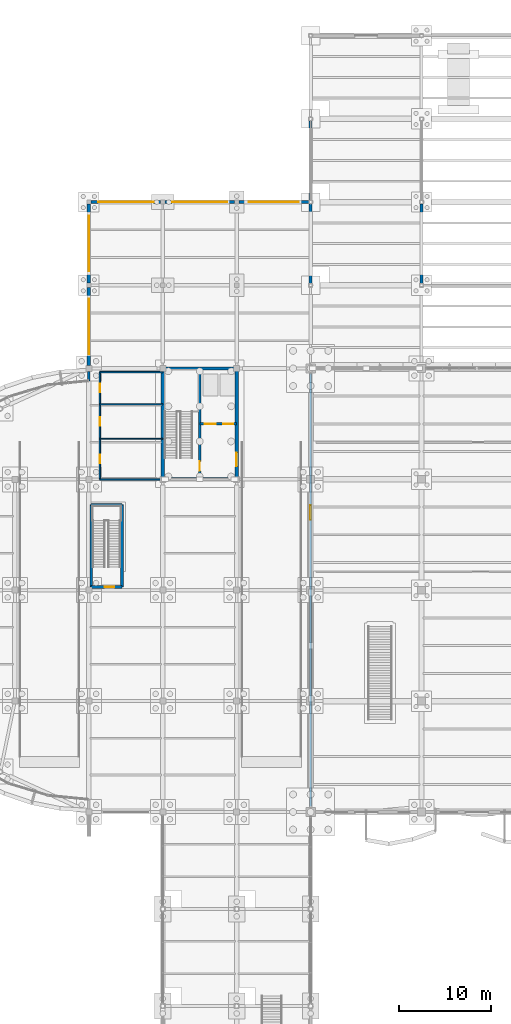
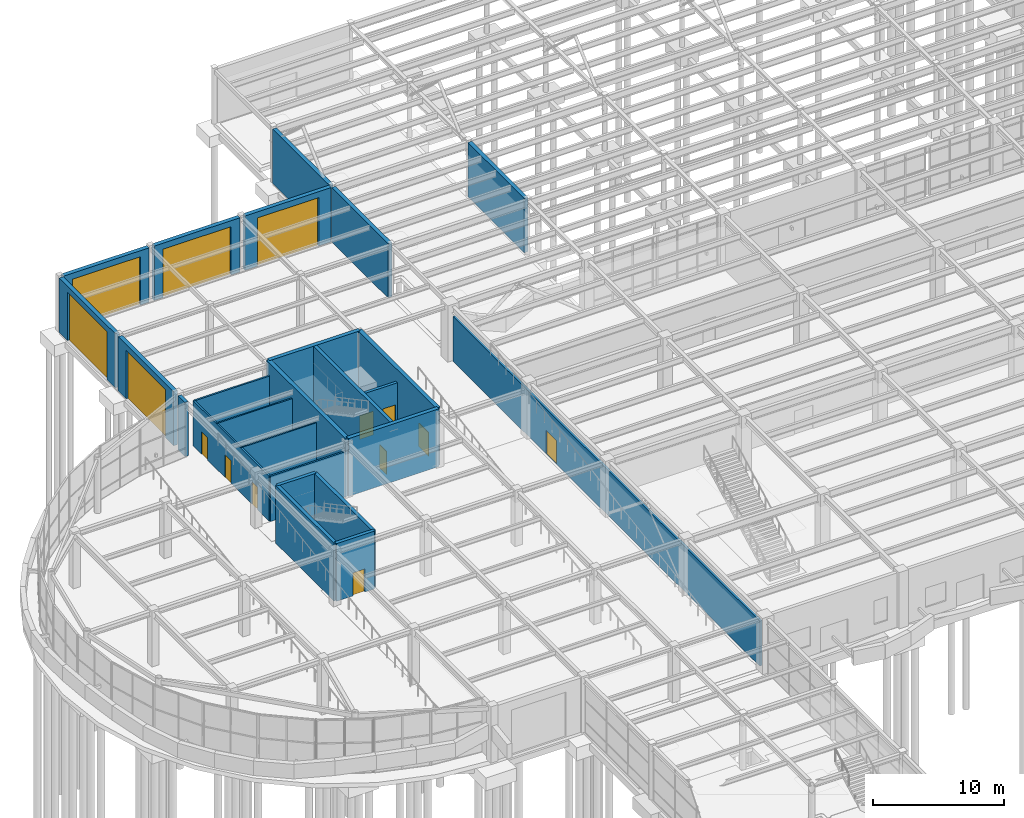
# One storey, part 64 of 85: 25 walls, 14 doors, 14 openings.
"""IFC4 building model written with IfcOpenShell, lengths in metres."""

from ifc_helpers import new_model, si_unit, direction, frame, frame_2d, origin, place, context, subcontext, project, spatial, rectangle, extrude, material, layer, layer_set, type_object, element, fill, save


model = new_model("IFC4")

# Units and contexts
model_context = context("Model", 3, precision=1e-05, world=origin(), true_north=direction((0.0, 1.0)))
body_context = subcontext(model_context, "Body", "Model", "MODEL_VIEW")
ifc_project = project(units=[si_unit("LENGTHUNIT", "METRE"), si_unit("AREAUNIT", "SQUARE_METRE"), si_unit("VOLUMEUNIT", "CUBIC_METRE"), si_unit("PLANEANGLEUNIT", "RADIAN"), si_unit("MASSUNIT", "GRAM", prefix="KILO")], contexts=[model_context])

# Site, building, storey
site_placement = place(None, origin())
site = spatial("IfcSite", under=ifc_project, at=site_placement, CompositionType="ELEMENT")
building_placement = place(site_placement, origin())
building = spatial("IfcBuilding", under=site, at=building_placement, Name="Keelwater Ferry Terminal", CompositionType="ELEMENT")
storey_placement = place(building_placement, origin())
storey = spatial("IfcBuildingStorey", under=building, at=storey_placement, Name="L00", CompositionType="ELEMENT", Elevation=0.0)

# Walls
ifc_material_1 = material(Name="Precast concrete C40/50", Category="concrete")
ifc_layer_1 = layer(ifc_material_1, 0.340087890625)
ifc_layer_set_1 = layer_set([ifc_layer_1], Name="Precast concrete C40/50")
wall_type_1 = type_object("IfcWallType", Name="EW-LM340 External Solid Wall 340", PredefinedType="SOLIDWALL", material=ifc_layer_set_1)
for number, where, z_axis, x_axis, name in (
    (1, (48.0, 99.202880859375, 0.0), (0.0, 0.0, 1.0), (0.0, 1.0, 0.0), "External Wall WL-L00-0044"),
    (2, (48.0, 108.202880859375, 0.0), (0.0, 0.0, 1.0), (0.0, 1.0, 0.0), "External Wall WL-L00-0045"),
    (3, (60.0, 99.202880859375, 0.0), (0.0, 0.0, 1.0), (0.0, 1.0, 0.0), "External Wall WL-L00-0046"),
):
    element("IfcWall", number, at=place(storey_placement, frame(where, z_axis=z_axis, x_axis=x_axis)), inside=storey, type_object=wall_type_1, Name=name, PredefinedType="SOLIDWALL", context=body_context, shape_type="SweptSolid", body=[
        extrude(rectangle(XDim=8.59423828125, YDim=0.340087890625, at=frame_2d((4.297119140625, 0.0))), origin(), (0.0, 0.0, 1.0), 5.06005859375),
    ])
ifc_material_2 = material(Name="Precast concrete C40/50", Category="concrete")
ifc_layer_2 = layer(ifc_material_2, 0.300048828125)
ifc_layer_set_2 = layer_set([ifc_layer_2], Name="Precast concrete C40/50")
wall_type_2 = type_object("IfcWallType", Name="EW-PC300 External Solid Wall 300", PredefinedType="SOLIDWALL", material=ifc_layer_set_2)
wall_1_placement = place(storey_placement, frame((24.0, 89.675048828125, 0.0), z_axis=(0.0, 0.0, 1.0), x_axis=(0.0, -1.0, 0.0)))
element("IfcWall", 4, at=wall_1_placement, inside=storey, type_object=wall_type_2, Name="External Wall WL-L00-0017", PredefinedType="SOLIDWALL", context=body_context, shape_type="SweptSolid", body=[
    extrude(rectangle(XDim=1.025146484375, YDim=0.300048828125, at=frame_2d((0.5126953125, 0.0))), origin(), (0.0, 0.0, 1.0), 5.06005859375),
])

# Wall, opening, door
ifc_material_3 = material(Name="Concrete C45/55", Category="concrete")
ifc_layer_3 = layer(ifc_material_3, 0.360107421875)
ifc_layer_set_3 = layer_set([ifc_layer_3], Name="Concrete C45/55")
wall_type_3 = type_object("IfcWallType", Name="EW-VH360 External Solid Wall 360", PredefinedType="SOLIDWALL", material=ifc_layer_set_3)
wall_2_placement = place(storey_placement, frame((24.0, 90.324951171875, 0.0), z_axis=(0.0, 0.0, 1.0), x_axis=(0.0, 1.0, 0.0)))
wall_2 = element("IfcWall", 5, at=wall_2_placement, inside=storey, type_object=wall_type_3, Name="External Wall WL-L00-0029", PredefinedType="SOLIDWALL", context=body_context, shape_type="SweptSolid", body=[
    extrude(rectangle(XDim=8.449951171875, YDim=0.360107421875, at=frame_2d((4.22509765625, 0.0))), origin(), (0.0, 0.0, 1.0), 5.06005859375),
])
opening_1_placement = place(wall_2_placement, frame((1.22509765625, 0.0, 0.0)))
opening_1 = element("IfcOpeningElement", 6, at=opening_1_placement, cuts=wall_2, Name="Opening VG-01", PredefinedType="OPENING", context=body_context, shape_type="SweptSolid", body=[
    extrude(rectangle(XDim=6.0, YDim=4.5, at=frame_2d((3.0, 2.25))), frame((0.0, 0.190185546875, 0.0), z_axis=(0.0, -1.0, 0.0), x_axis=(1.0, 0.0, 0.0)), (0.0, 0.0, 1.0), 0.380126953125),
])
ifc_material_4 = material(Name="Marine-grade steel roller shutter", Category="steel")
door_type_1 = type_object("IfcDoorType", Name="VG-T1 Vehicle Shutter Gate 6000x4500", OperationType="ROLLINGUP", PredefinedType="GATE", material=ifc_material_4)
door_1_placement = place(opening_1_placement, origin())
door_1 = element("IfcDoor", 7, at=door_1_placement, inside=storey, type_object=door_type_1, Name="Door VG-01", OperationType="ROLLINGUP", OverallHeight=4.5, OverallWidth=6.0, PredefinedType="GATE", context=body_context, shape_type="SweptSolid", body=[
    extrude(rectangle(XDim=6.0, YDim=4.5, at=frame_2d((3.0, 2.25))), frame((0.0, 0.02490234375, 0.0), z_axis=(0.0, -1.0, 0.0), x_axis=(1.0, 0.0, 0.0)), (0.0, 0.0, 1.0), 0.050048828125),
])
fill(opening_1, door_1)

wall_3_placement = place(storey_placement, frame((24.0, 99.22509765625, 0.0), z_axis=(0.0, 0.0, 1.0), x_axis=(0.0, 1.0, 0.0)))
wall_3 = element("IfcWall", 8, at=wall_3_placement, inside=storey, type_object=wall_type_3, Name="External Wall WL-L00-0030", PredefinedType="SOLIDWALL", context=body_context, shape_type="SweptSolid", body=[
    extrude(rectangle(XDim=8.5498046875, YDim=0.360107421875, at=frame_2d((4.27490234375, 0.0))), origin(), (0.0, 0.0, 1.0), 5.06005859375),
])
opening_2_placement = place(wall_3_placement, frame((1.27490234375, 0.0, 0.0)))
opening_2 = element("IfcOpeningElement", 9, at=opening_2_placement, cuts=wall_3, Name="Opening VG-02", PredefinedType="OPENING", context=body_context, shape_type="SweptSolid", body=[
    extrude(rectangle(XDim=6.0, YDim=4.5, at=frame_2d((3.0, 2.25))), frame((0.0, 0.190185546875, 0.0), z_axis=(0.0, -1.0, 0.0), x_axis=(1.0, 0.0, 0.0)), (0.0, 0.0, 1.0), 0.380126953125),
])
door_2_placement = place(opening_2_placement, origin())
door_2 = element("IfcDoor", 10, at=door_2_placement, inside=storey, type_object=door_type_1, Name="Door VG-02", OperationType="ROLLINGUP", OverallHeight=4.5, OverallWidth=6.0, PredefinedType="GATE", context=body_context, shape_type="SweptSolid", body=[
    extrude(rectangle(XDim=6.0, YDim=4.5, at=frame_2d((3.0, 2.25))), frame((0.0, 0.02490234375, 0.0), z_axis=(0.0, -1.0, 0.0), x_axis=(1.0, 0.0, 0.0)), (0.0, 0.0, 1.0), 0.050048828125),
])
fill(opening_2, door_2)

wall_4_placement = place(storey_placement, frame((24.22509765625, 108.0, 0.0), z_axis=(0.0, 0.0, 1.0), x_axis=(1.0, 0.0, 0.0)))
wall_4 = element("IfcWall", 11, at=wall_4_placement, inside=storey, type_object=wall_type_3, Name="External Wall WL-L00-0031", PredefinedType="SOLIDWALL", context=body_context, shape_type="SweptSolid", body=[
    extrude(rectangle(XDim=7.5498046875, YDim=0.360107421875, at=frame_2d((3.77490234375, 0.0))), origin(), (0.0, 0.0, 1.0), 5.06005859375),
])
opening_3_placement = place(wall_4_placement, frame((0.77490234375, 0.0, 0.0)))
opening_3 = element("IfcOpeningElement", 12, at=opening_3_placement, cuts=wall_4, Name="Opening VG-03", PredefinedType="OPENING", context=body_context, shape_type="SweptSolid", body=[
    extrude(rectangle(XDim=6.0, YDim=4.5, at=frame_2d((3.0, 2.25))), frame((0.0, 0.190185546875, 0.0), z_axis=(0.0, -1.0, 0.0), x_axis=(1.0, 0.0, 0.0)), (0.0, 0.0, 1.0), 0.380126953125),
])
door_3_placement = place(opening_3_placement, origin())
door_3 = element("IfcDoor", 13, at=door_3_placement, inside=storey, type_object=door_type_1, Name="Door VG-03", OperationType="ROLLINGUP", OverallHeight=4.5, OverallWidth=6.0, PredefinedType="GATE", context=body_context, shape_type="SweptSolid", body=[
    extrude(rectangle(XDim=6.0, YDim=4.5, at=frame_2d((3.0, 2.25))), frame((0.0, 0.02490234375, 0.0), z_axis=(0.0, -1.0, 0.0), x_axis=(1.0, 0.0, 0.0)), (0.0, 0.0, 1.0), 0.050048828125),
])
fill(opening_3, door_3)

wall_5_placement = place(storey_placement, frame((32.22509765625, 108.0, 0.0), z_axis=(0.0, 0.0, 1.0), x_axis=(1.0, 0.0, 0.0)))
wall_5 = element("IfcWall", 14, at=wall_5_placement, inside=storey, type_object=wall_type_3, Name="External Wall WL-L00-0032", PredefinedType="SOLIDWALL", context=body_context, shape_type="SweptSolid", body=[
    extrude(rectangle(XDim=7.5498046875, YDim=0.360107421875, at=frame_2d((3.77490234375, 0.0))), origin(), (0.0, 0.0, 1.0), 5.06005859375),
])
opening_4_placement = place(wall_5_placement, frame((0.77490234375, 0.0, 0.0)))
opening_4 = element("IfcOpeningElement", 15, at=opening_4_placement, cuts=wall_5, Name="Opening VG-04", PredefinedType="OPENING", context=body_context, shape_type="SweptSolid", body=[
    extrude(rectangle(XDim=6.0, YDim=4.5, at=frame_2d((3.0, 2.25))), frame((0.0, 0.190185546875, 0.0), z_axis=(0.0, -1.0, 0.0), x_axis=(1.0, 0.0, 0.0)), (0.0, 0.0, 1.0), 0.380126953125),
])
door_4_placement = place(opening_4_placement, origin())
door_4 = element("IfcDoor", 16, at=door_4_placement, inside=storey, type_object=door_type_1, Name="Door VG-04", OperationType="ROLLINGUP", OverallHeight=4.5, OverallWidth=6.0, PredefinedType="GATE", context=body_context, shape_type="SweptSolid", body=[
    extrude(rectangle(XDim=6.0, YDim=4.5, at=frame_2d((3.0, 2.25))), frame((0.0, 0.02490234375, 0.0), z_axis=(0.0, -1.0, 0.0), x_axis=(1.0, 0.0, 0.0)), (0.0, 0.0, 1.0), 0.050048828125),
])
fill(opening_4, door_4)

wall_6_placement = place(storey_placement, frame((40.22509765625, 108.0, 0.0), z_axis=(0.0, 0.0, 1.0), x_axis=(1.0, 0.0, 0.0)))
wall_6 = element("IfcWall", 17, at=wall_6_placement, inside=storey, type_object=wall_type_3, Name="External Wall WL-L00-0033", PredefinedType="SOLIDWALL", context=body_context, shape_type="SweptSolid", body=[
    extrude(rectangle(XDim=7.572021484375, YDim=0.360107421875, at=frame_2d((3.7861328125, 0.0))), origin(), (0.0, 0.0, 1.0), 5.06005859375),
])
opening_5_placement = place(wall_6_placement, frame((1.0859375, 0.0, 0.0)))
opening_5 = element("IfcOpeningElement", 18, at=opening_5_placement, cuts=wall_6, Name="Opening VG-05", PredefinedType="OPENING", context=body_context, shape_type="SweptSolid", body=[
    extrude(rectangle(XDim=5.39990234375, YDim=4.5, at=frame_2d((2.699951171875, 2.25))), frame((0.0, 0.190185546875, 0.0), z_axis=(0.0, -1.0, 0.0), x_axis=(1.0, 0.0, 0.0)), (0.0, 0.0, 1.0), 0.380126953125),
])
ifc_material_5 = material(Name="Marine-grade steel roller shutter", Category="steel")
door_type_2 = type_object("IfcDoorType", Name="VG-T2 Vehicle Shutter Gate 5400x4500", OperationType="ROLLINGUP", PredefinedType="GATE", material=ifc_material_5)
door_5_placement = place(opening_5_placement, origin())
door_5 = element("IfcDoor", 19, at=door_5_placement, inside=storey, type_object=door_type_2, Name="Door VG-05", OperationType="ROLLINGUP", OverallHeight=4.5, OverallWidth=5.39990234375, PredefinedType="GATE", context=body_context, shape_type="SweptSolid", body=[
    extrude(rectangle(XDim=5.39990234375, YDim=4.5, at=frame_2d((2.699951171875, 2.25))), frame((0.0, 0.02490234375, 0.0), z_axis=(0.0, -1.0, 0.0), x_axis=(1.0, 0.0, 0.0)), (0.0, 0.0, 1.0), 0.050048828125),
])
fill(opening_5, door_5)

ifc_material_6 = material(Name="Concrete C40/50", Category="concrete")
ifc_layer_4 = layer(ifc_material_6, 0.199951171875)
ifc_layer_set_4 = layer_set([ifc_layer_4], Name="Concrete C40/50")
wall_type_4 = type_object("IfcWallType", Name="IW-200 Solid Wall 200", PredefinedType="SOLIDWALL", material=ifc_layer_set_4)
wall_7_placement = place(storey_placement, frame((48.0, 42.60009765625, 0.0), z_axis=(0.0, 0.0, 1.0), x_axis=(0.0, 1.0, 0.0)))
wall_7 = element("IfcWall", 20, at=wall_7_placement, inside=storey, type_object=wall_type_4, Name="Interior Wall WL-INT-L00-0226", PredefinedType="SOLIDWALL", context=body_context, shape_type="SweptSolid", body=[
    extrude(rectangle(XDim=46.7998046875, YDim=0.199951171875, at=frame_2d((23.39990234375, 0.0))), origin(), (0.0, 0.0, 1.0), 4.199951171875),
])
opening_6_placement = place(wall_7_placement, frame((31.0, 0.0, 0.0)))
opening_6 = element("IfcOpeningElement", 21, at=opening_6_placement, cuts=wall_7, Name="Opening DR-002", PredefinedType="OPENING", context=body_context, shape_type="SweptSolid", body=[
    extrude(rectangle(XDim=1.60009765625, YDim=2.199951171875, at=frame_2d((0.800048828125, 1.10009765625))), frame((0.0, 0.110107421875, 0.0), z_axis=(0.0, -1.0, 0.0), x_axis=(1.0, 0.0, 0.0)), (0.0, 0.0, 1.0), 0.219970703125),
])
ifc_material_7 = material(Name="Acoustic oak and fire-rated steel frame door", Category="steel")
door_type_3 = type_object("IfcDoorType", Name="ID-01 Pedestrian Door 1600x2200", OperationType="DOUBLE_DOOR_SINGLE_SWING", PredefinedType="DOOR", material=ifc_material_7)
door_6_placement = place(opening_6_placement, origin())
door_6 = element("IfcDoor", 22, at=door_6_placement, inside=storey, type_object=door_type_3, Name="Door DR-002", OperationType="DOUBLE_DOOR_SINGLE_SWING", OverallHeight=2.199951171875, OverallWidth=1.60009765625, PredefinedType="DOOR", context=body_context, shape_type="SweptSolid", body=[
    extrude(rectangle(XDim=1.60009765625, YDim=2.199951171875, at=frame_2d((0.800048828125, 1.10009765625))), frame((0.0, 0.02490234375, 0.0), z_axis=(0.0, -1.0, 0.0), x_axis=(1.0, 0.0, 0.0)), (0.0, 0.0, 1.0), 0.050048828125),
])
fill(opening_6, door_6)

# Wall, openings, doors
ifc_material_8 = material(Name="Concrete C40/50", Category="concrete")
ifc_layer_5 = layer(ifc_material_8, 0.25)
ifc_layer_set_5 = layer_set([ifc_layer_5], Name="Concrete C40/50")
wall_type_5 = type_object("IfcWallType", Name="IW-250 Solid Wall 250", PredefinedType="SOLIDWALL", material=ifc_layer_set_5)
wall_8_placement = place(storey_placement, frame((40.0, 84.0, 0.0), z_axis=(0.0, 0.0, 1.0), x_axis=(-1.0, 0.0, 0.0)))
wall_8 = element("IfcWall", 23, at=wall_8_placement, inside=storey, type_object=wall_type_5, Name="Interior Wall WL-INT-L00-0006", PredefinedType="SOLIDWALL", context=body_context, shape_type="SweptSolid", body=[
    extrude(rectangle(XDim=4.0, YDim=0.25, at=frame_2d((2.0, 0.0))), origin(), (0.0, 0.0, 1.0), 4.199951171875),
])
opening_7_placement = place(wall_8_placement, frame((0.35009765625, 0.0, 0.0)))
opening_7 = element("IfcOpeningElement", 24, at=opening_7_placement, cuts=wall_8, Name="Opening LD-001", PredefinedType="OPENING", context=body_context, shape_type="SweptSolid", body=[
    extrude(rectangle(XDim=1.10009765625, YDim=2.199951171875, at=frame_2d((0.550048828125, 1.10009765625))), frame((0.0, 0.135009765625, 0.0), z_axis=(0.0, -1.0, 0.0), x_axis=(1.0, 0.0, 0.0)), (0.0, 0.0, 1.0), 0.27001953125),
])
opening_8_placement = place(wall_8_placement, frame((2.25, 0.0, 0.0)))
opening_8 = element("IfcOpeningElement", 25, at=opening_8_placement, cuts=wall_8, Name="Opening LD-002", PredefinedType="OPENING", context=body_context, shape_type="SweptSolid", body=[
    extrude(rectangle(XDim=1.199951171875, YDim=2.199951171875, at=frame_2d((0.60009765625, 1.10009765625))), frame((0.0, 0.135009765625, 0.0), z_axis=(0.0, -1.0, 0.0), x_axis=(1.0, 0.0, 0.0)), (0.0, 0.0, 1.0), 0.27001953125),
])
ifc_material_9 = material(Name="Stainless steel sliding landing doors", Category="steel")
door_type_4 = type_object("IfcDoorType", Name="LD-T1 Lift Landing Door 1100x2200", OperationType="SLIDING_TO_LEFT", PredefinedType="USERDEFINED", material=ifc_material_9)
door_7_placement = place(opening_7_placement, origin())
door_7 = element("IfcDoor", 26, at=door_7_placement, inside=storey, type_object=door_type_4, Name="Door LD-001", ObjectType="LANDING DOOR", OperationType="SLIDING_TO_LEFT", OverallHeight=2.199951171875, OverallWidth=1.10009765625, PredefinedType="USERDEFINED", context=body_context, shape_type="SweptSolid", body=[
    extrude(rectangle(XDim=1.10009765625, YDim=2.199951171875, at=frame_2d((0.550048828125, 1.10009765625))), frame((0.0, 0.02490234375, 0.0), z_axis=(0.0, -1.0, 0.0), x_axis=(1.0, 0.0, 0.0)), (0.0, 0.0, 1.0), 0.050048828125),
])
fill(opening_7, door_7)
ifc_material_10 = material(Name="Stainless steel sliding landing doors", Category="steel")
door_type_5 = type_object("IfcDoorType", Name="LD-T2 Lift Landing Door 1200x2200", OperationType="DOUBLE_DOOR_SLIDING", PredefinedType="USERDEFINED", material=ifc_material_10)
door_8_placement = place(opening_8_placement, origin())
door_8 = element("IfcDoor", 27, at=door_8_placement, inside=storey, type_object=door_type_5, Name="Door LD-002", ObjectType="LANDING DOOR", OperationType="DOUBLE_DOOR_SLIDING", OverallHeight=2.199951171875, OverallWidth=1.199951171875, PredefinedType="USERDEFINED", context=body_context, shape_type="SweptSolid", body=[
    extrude(rectangle(XDim=1.199951171875, YDim=2.199951171875, at=frame_2d((0.60009765625, 1.10009765625))), frame((0.0, 0.02490234375, 0.0), z_axis=(0.0, -1.0, 0.0), x_axis=(1.0, 0.0, 0.0)), (0.0, 0.0, 1.0), 0.050048828125),
])
fill(opening_8, door_8)

# Walls
ifc_material_11 = material(Name="Gypsum board on acoustic steel stud", Category="steel")
ifc_layer_6 = layer(ifc_material_11, 0.125)
ifc_layer_set_6 = layer_set([ifc_layer_6], Name="Gypsum board on acoustic steel stud")
wall_type_6 = type_object("IfcWallType", Name="PT-125 Partition Wall 125", PredefinedType="PARTITIONING", material=ifc_layer_set_6)
for number, where, z_axis, x_axis, name in (
    (28, (25.199951171875, 82.407958984375, 0.0), (0.0, 0.0, 1.0), (1.0, 0.0, 0.0), "Interior Wall WL-INT-L00-0154"),
    (29, (25.199951171875, 86.1201171875, 0.0), (0.0, 0.0, 1.0), (1.0, 0.0, 0.0), "Interior Wall WL-INT-L00-0155"),
):
    element("IfcWall", number, at=place(storey_placement, frame(where, z_axis=z_axis, x_axis=x_axis)), inside=storey, type_object=wall_type_6, Name=name, PredefinedType="PARTITIONING", context=body_context, shape_type="SweptSolid", body=[
        extrude(rectangle(XDim=6.800048828125, YDim=0.125, at=frame_2d((3.39990234375, 0.0))), origin(), (0.0, 0.0, 1.0), 4.199951171875),
    ])

# Wall, openings, doors
ifc_material_12 = material(Name="Gypsum board on acoustic steel stud", Category="steel")
ifc_layer_7 = layer(ifc_material_12, 0.14990234375)
ifc_layer_set_7 = layer_set([ifc_layer_7], Name="Gypsum board on acoustic steel stud")
wall_type_7 = type_object("IfcWallType", Name="PT-150 Partition Wall 150", PredefinedType="PARTITIONING", material=ifc_layer_set_7)
wall_9_placement = place(storey_placement, frame((25.199951171875, 78.0, 0.0), z_axis=(0.0, 0.0, 1.0), x_axis=(0.0, 1.0, 0.0)))
wall_9 = element("IfcWall", 30, at=wall_9_placement, inside=storey, type_object=wall_type_7, Name="Interior Wall WL-INT-L00-0151", PredefinedType="PARTITIONING", context=body_context, shape_type="SweptSolid", body=[
    extrude(rectangle(XDim=11.60009765625, YDim=0.14990234375, at=frame_2d((5.800048828125, 0.0))), origin(), (0.0, 0.0, 1.0), 4.199951171875),
])
opening_9_placement = place(wall_9_placement, frame((1.75390625, 0.0, 0.0)))
opening_9 = element("IfcOpeningElement", 31, at=opening_9_placement, cuts=wall_9, Name="Opening WD-001", PredefinedType="OPENING", context=body_context, shape_type="SweptSolid", body=[
    extrude(rectangle(XDim=0.89990234375, YDim=2.10009765625, at=frame_2d((0.449951171875, 1.050048828125))), frame((0.0, 0.0849609375, 0.0), z_axis=(0.0, -1.0, 0.0), x_axis=(1.0, 0.0, 0.0)), (0.0, 0.0, 1.0), 0.169921875),
])
opening_10_placement = place(wall_9_placement, frame((5.81396484375, 0.0, 0.0)))
opening_10 = element("IfcOpeningElement", 32, at=opening_10_placement, cuts=wall_9, Name="Opening WD-002", PredefinedType="OPENING", context=body_context, shape_type="SweptSolid", body=[
    extrude(rectangle(XDim=0.89990234375, YDim=2.10009765625, at=frame_2d((0.449951171875, 1.050048828125))), frame((0.0, 0.0849609375, 0.0), z_axis=(0.0, -1.0, 0.0), x_axis=(1.0, 0.0, 0.0)), (0.0, 0.0, 1.0), 0.169921875),
])
opening_11_placement = place(wall_9_placement, frame((9.39990234375, 0.0, 0.0)))
opening_11 = element("IfcOpeningElement", 33, at=opening_11_placement, cuts=wall_9, Name="Opening WD-003", PredefinedType="OPENING", context=body_context, shape_type="SweptSolid", body=[
    extrude(rectangle(XDim=0.919921875, YDim=2.10009765625, at=frame_2d((0.4599609375, 1.050048828125))), frame((0.0, 0.0849609375, 0.0), z_axis=(0.0, -1.0, 0.0), x_axis=(1.0, 0.0, 0.0)), (0.0, 0.0, 1.0), 0.169921875),
])
ifc_material_13 = material(Name="Acoustic oak and fire-rated steel frame door", Category="steel")
door_type_6 = type_object("IfcDoorType", Name="ID-09 Pedestrian Door 920x2100", OperationType="NOTDEFINED", PredefinedType="DOOR", material=ifc_material_13)
door_9_placement = place(opening_11_placement, origin())
door_9 = element("IfcDoor", 34, at=door_9_placement, inside=storey, type_object=door_type_6, Name="Door WD-003", OperationType="SINGLE_SWING_LEFT", OverallHeight=2.10009765625, OverallWidth=0.919921875, PredefinedType="DOOR", context=body_context, shape_type="SweptSolid", body=[
    extrude(rectangle(XDim=0.919921875, YDim=2.10009765625, at=frame_2d((0.4599609375, 1.050048828125))), frame((0.0, 0.02490234375, 0.0), z_axis=(0.0, -1.0, 0.0), x_axis=(1.0, 0.0, 0.0)), (0.0, 0.0, 1.0), 0.050048828125),
])
fill(opening_11, door_9)
ifc_material_14 = material(Name="Acoustic oak and fire-rated steel frame door", Category="steel")
door_type_7 = type_object("IfcDoorType", Name="ID-10 Pedestrian Door 900x2100", OperationType="NOTDEFINED", PredefinedType="DOOR", material=ifc_material_14)
door_10_placement = place(opening_9_placement, origin())
door_10 = element("IfcDoor", 35, at=door_10_placement, inside=storey, type_object=door_type_7, Name="Door WD-001", OperationType="SINGLE_SWING_LEFT", OverallHeight=2.10009765625, OverallWidth=0.89990234375, PredefinedType="DOOR", context=body_context, shape_type="SweptSolid", body=[
    extrude(rectangle(XDim=0.89990234375, YDim=2.10009765625, at=frame_2d((0.449951171875, 1.050048828125))), frame((0.0, 0.02490234375, 0.0), z_axis=(0.0, -1.0, 0.0), x_axis=(1.0, 0.0, 0.0)), (0.0, 0.0, 1.0), 0.050048828125),
])
fill(opening_9, door_10)
door_11_placement = place(opening_10_placement, origin())
door_11 = element("IfcDoor", 36, at=door_11_placement, inside=storey, type_object=door_type_7, Name="Door WD-002", OperationType="SINGLE_SWING_RIGHT", OverallHeight=2.10009765625, OverallWidth=0.89990234375, PredefinedType="DOOR", context=body_context, shape_type="SweptSolid", body=[
    extrude(rectangle(XDim=0.89990234375, YDim=2.10009765625, at=frame_2d((0.449951171875, 1.050048828125))), frame((0.0, 0.02490234375, 0.0), z_axis=(0.0, -1.0, 0.0), x_axis=(1.0, 0.0, 0.0)), (0.0, 0.0, 1.0), 0.050048828125),
])
fill(opening_10, door_11)

# Walls
for number, where, z_axis, x_axis, name in (
    (37, (25.199951171875, 89.60009765625, 0.0), (0.0, 0.0, 1.0), (1.0, 0.0, 0.0), "Interior Wall WL-INT-L00-0152"),
    (38, (25.199951171875, 78.0, 0.0), (0.0, 0.0, 1.0), (1.0, 0.0, 0.0), "Interior Wall WL-INT-L00-0153"),
):
    element("IfcWall", number, at=place(storey_placement, frame(where, z_axis=z_axis, x_axis=x_axis)), inside=storey, type_object=wall_type_7, Name=name, PredefinedType="PARTITIONING", context=body_context, shape_type="SweptSolid", body=[
        extrude(rectangle(XDim=6.800048828125, YDim=0.14990234375, at=frame_2d((3.39990234375, 0.0))), origin(), (0.0, 0.0, 1.0), 4.199951171875),
    ])

# Wall, opening, door
ifc_material_15 = material(Name="Concrete C45/55", Category="concrete")
ifc_layer_8 = layer(ifc_material_15, 0.300048828125)
ifc_layer_set_8 = layer_set([ifc_layer_8], Name="Concrete C45/55")
wall_type_8 = type_object("IfcWallType", Name="SW-300 Shear Wall 300", PredefinedType="SHEAR", material=ifc_layer_set_8)
wall_10_placement = place(storey_placement, frame((36.0, 90.0, 0.0), z_axis=(0.0, 0.0, 1.0), x_axis=(0.0, -1.0, 0.0)))
wall_10 = element("IfcWall", 39, at=wall_10_placement, inside=storey, type_object=wall_type_8, Name="Interior Wall WL-INT-L00-0005", PredefinedType="SHEAR", context=body_context, shape_type="SweptSolid", body=[
    extrude(rectangle(XDim=12.0, YDim=0.300048828125, at=frame_2d((6.0, 0.0))), origin(), (0.0, 0.0, 1.0), 5.3798828125),
])
opening_12_placement = place(wall_10_placement, frame((10.050048828125, 0.0, 0.0)))
opening_12 = element("IfcOpeningElement", 40, at=opening_12_placement, cuts=wall_10, Name="Opening FD-001", PredefinedType="OPENING", context=body_context, shape_type="SweptSolid", body=[
    extrude(rectangle(XDim=1.050048828125, YDim=2.14990234375, at=frame_2d((0.52490234375, 1.074951171875))), frame((0.0, 0.159912109375, 0.0), z_axis=(0.0, -1.0, 0.0), x_axis=(1.0, 0.0, 0.0)), (0.0, 0.0, 1.0), 0.320068359375),
])
ifc_material_16 = material(Name="Acoustic oak and fire-rated steel frame door", Category="steel")
door_type_8 = type_object("IfcDoorType", Name="ID-06 Pedestrian Door 1050x2150", OperationType="NOTDEFINED", PredefinedType="DOOR", material=ifc_material_16)
door_12_placement = place(opening_12_placement, origin())
door_12 = element("IfcDoor", 41, at=door_12_placement, inside=storey, type_object=door_type_8, Name="Door FD-001", OperationType="SINGLE_SWING_LEFT", OverallHeight=2.14990234375, OverallWidth=1.050048828125, PredefinedType="DOOR", context=body_context, shape_type="SweptSolid", body=[
    extrude(rectangle(XDim=1.050048828125, YDim=2.14990234375, at=frame_2d((0.52490234375, 1.074951171875))), frame((0.0, 0.02490234375, 0.0), z_axis=(0.0, -1.0, 0.0), x_axis=(1.0, 0.0, 0.0)), (0.0, 0.0, 1.0), 0.050048828125),
])
fill(opening_12, door_12)

wall_11_placement = place(storey_placement, frame((24.25, 66.35009765625, 0.0), z_axis=(0.0, 0.0, 1.0), x_axis=(1.0, 0.0, 0.0)))
wall_11 = element("IfcWall", 42, at=wall_11_placement, inside=storey, type_object=wall_type_8, Name="Interior Wall WL-INT-L00-0123", PredefinedType="SHEAR", context=body_context, shape_type="SweptSolid", body=[
    extrude(rectangle(XDim=3.35009765625, YDim=0.300048828125, at=frame_2d((1.675048828125, 0.0))), origin(), (0.0, 0.0, 1.0), 5.3798828125),
])
opening_13_placement = place(wall_11_placement, frame((1.449951171875, 0.0, 0.0)))
opening_13 = element("IfcOpeningElement", 43, at=opening_13_placement, cuts=wall_11, Name="Opening FD-039", PredefinedType="OPENING", context=body_context, shape_type="SweptSolid", body=[
    extrude(rectangle(XDim=1.050048828125, YDim=2.14990234375, at=frame_2d((0.52490234375, 1.074951171875))), frame((0.0, 0.159912109375, 0.0), z_axis=(0.0, -1.0, 0.0), x_axis=(1.0, 0.0, 0.0)), (0.0, 0.0, 1.0), 0.320068359375),
])
door_13_placement = place(opening_13_placement, origin())
door_13 = element("IfcDoor", 44, at=door_13_placement, inside=storey, type_object=door_type_8, Name="Door FD-039", OperationType="SINGLE_SWING_RIGHT", OverallHeight=2.14990234375, OverallWidth=1.050048828125, PredefinedType="DOOR", context=body_context, shape_type="SweptSolid", body=[
    extrude(rectangle(XDim=1.050048828125, YDim=2.14990234375, at=frame_2d((0.52490234375, 1.074951171875))), frame((0.0, 0.02490234375, 0.0), z_axis=(0.0, -1.0, 0.0), x_axis=(1.0, 0.0, 0.0)), (0.0, 0.0, 1.0), 0.050048828125),
])
fill(opening_13, door_13)

# Walls
wall_12_placement = place(storey_placement, frame((24.25, 75.25, 0.0), z_axis=(0.0, 0.0, 1.0), x_axis=(1.0, 0.0, 0.0)))
element("IfcWall", 45, at=wall_12_placement, inside=storey, type_object=wall_type_8, Name="Interior Wall WL-INT-L00-0124", PredefinedType="SHEAR", context=body_context, shape_type="SweptSolid", body=[
    extrude(rectangle(XDim=3.35009765625, YDim=0.300048828125, at=frame_2d((1.675048828125, 0.0))), origin(), (0.0, 0.0, 1.0), 5.3798828125),
])
for number, where, z_axis, x_axis, name in (
    (46, (24.25, 66.35009765625, 0.0), (0.0, 0.0, 1.0), (0.0, 1.0, 0.0), "Interior Wall WL-INT-L00-0125"),
    (47, (27.60009765625, 66.35009765625, 0.0), (0.0, 0.0, 1.0), (0.0, 1.0, 0.0), "Interior Wall WL-INT-L00-0126"),
):
    element("IfcWall", number, at=place(storey_placement, frame(where, z_axis=z_axis, x_axis=x_axis)), inside=storey, type_object=wall_type_8, Name=name, PredefinedType="SHEAR", context=body_context, shape_type="SweptSolid", body=[
        extrude(rectangle(XDim=8.89990234375, YDim=0.300048828125, at=frame_2d((4.449951171875, 0.0))), origin(), (0.0, 0.0, 1.0), 5.3798828125),
    ])
ifc_material_17 = material(Name="Concrete C45/55", Category="concrete")
ifc_layer_9 = layer(ifc_material_17, 0.35009765625)
ifc_layer_set_9 = layer_set([ifc_layer_9], Name="Concrete C45/55")
wall_type_9 = type_object("IfcWallType", Name="SW-350 Shear Wall 350", PredefinedType="SHEAR", material=ifc_layer_set_9)
for number, where, z_axis, x_axis, name in (
    (48, (32.0, 78.0, 0.0), (0.0, 0.0, 1.0), (1.0, 0.0, 0.0), "Interior Wall WL-INT-L00-0001"),
    (49, (32.0, 90.0, 0.0), (0.0, 0.0, 1.0), (1.0, 0.0, 0.0), "Interior Wall WL-INT-L00-0002"),
):
    element("IfcWall", number, at=place(storey_placement, frame(where, z_axis=z_axis, x_axis=x_axis)), inside=storey, type_object=wall_type_9, Name=name, PredefinedType="SHEAR", context=body_context, shape_type="SweptSolid", body=[
        extrude(rectangle(XDim=8.0, YDim=0.35009765625, at=frame_2d((4.0, 0.0))), origin(), (0.0, 0.0, 1.0), 5.3798828125),
    ])
wall_13_placement = place(storey_placement, frame((32.0, 78.0, 0.0), z_axis=(0.0, 0.0, 1.0), x_axis=(0.0, 1.0, 0.0)))
element("IfcWall", 50, at=wall_13_placement, inside=storey, type_object=wall_type_9, Name="Interior Wall WL-INT-L00-0003", PredefinedType="SHEAR", context=body_context, shape_type="SweptSolid", body=[
    extrude(rectangle(XDim=12.0, YDim=0.35009765625, at=frame_2d((6.0, 0.0))), origin(), (0.0, 0.0, 1.0), 5.3798828125),
])

# Wall, opening, door
wall_14_placement = place(storey_placement, frame((40.0, 78.0, 0.0), z_axis=(0.0, 0.0, 1.0), x_axis=(0.0, 1.0, 0.0)))
wall_14 = element("IfcWall", 51, at=wall_14_placement, inside=storey, type_object=wall_type_9, Name="Interior Wall WL-INT-L00-0004", PredefinedType="SHEAR", context=body_context, shape_type="SweptSolid", body=[
    extrude(rectangle(XDim=12.0, YDim=0.35009765625, at=frame_2d((6.0, 0.0))), origin(), (0.0, 0.0, 1.0), 5.3798828125),
])
opening_14_placement = place(wall_14_placement, frame((1.39990234375, 0.0, 0.0)))
opening_14 = element("IfcOpeningElement", 52, at=opening_14_placement, cuts=wall_14, Name="Opening FD-002", PredefinedType="OPENING", context=body_context, shape_type="SweptSolid", body=[
    extrude(rectangle(XDim=1.5, YDim=2.199951171875, at=frame_2d((0.75, 1.10009765625))), frame((0.0, 0.18505859375, 0.0), z_axis=(0.0, -1.0, 0.0), x_axis=(1.0, 0.0, 0.0)), (0.0, 0.0, 1.0), 0.3701171875),
])
ifc_material_18 = material(Name="Acoustic oak and fire-rated steel frame door", Category="steel")
door_type_9 = type_object("IfcDoorType", Name="ID-02 Pedestrian Door 1500x2200", OperationType="DOUBLE_DOOR_SINGLE_SWING", PredefinedType="DOOR", material=ifc_material_18)
door_14_placement = place(opening_14_placement, origin())
door_14 = element("IfcDoor", 53, at=door_14_placement, inside=storey, type_object=door_type_9, Name="Door FD-002", OperationType="DOUBLE_DOOR_SINGLE_SWING", OverallHeight=2.199951171875, OverallWidth=1.5, PredefinedType="DOOR", context=body_context, shape_type="SweptSolid", body=[
    extrude(rectangle(XDim=1.5, YDim=2.199951171875, at=frame_2d((0.75, 1.10009765625))), frame((0.0, 0.02490234375, 0.0), z_axis=(0.0, -1.0, 0.0), x_axis=(1.0, 0.0, 0.0)), (0.0, 0.0, 1.0), 0.050048828125),
])
fill(opening_14, door_14)

save(model, "model.ifc")
